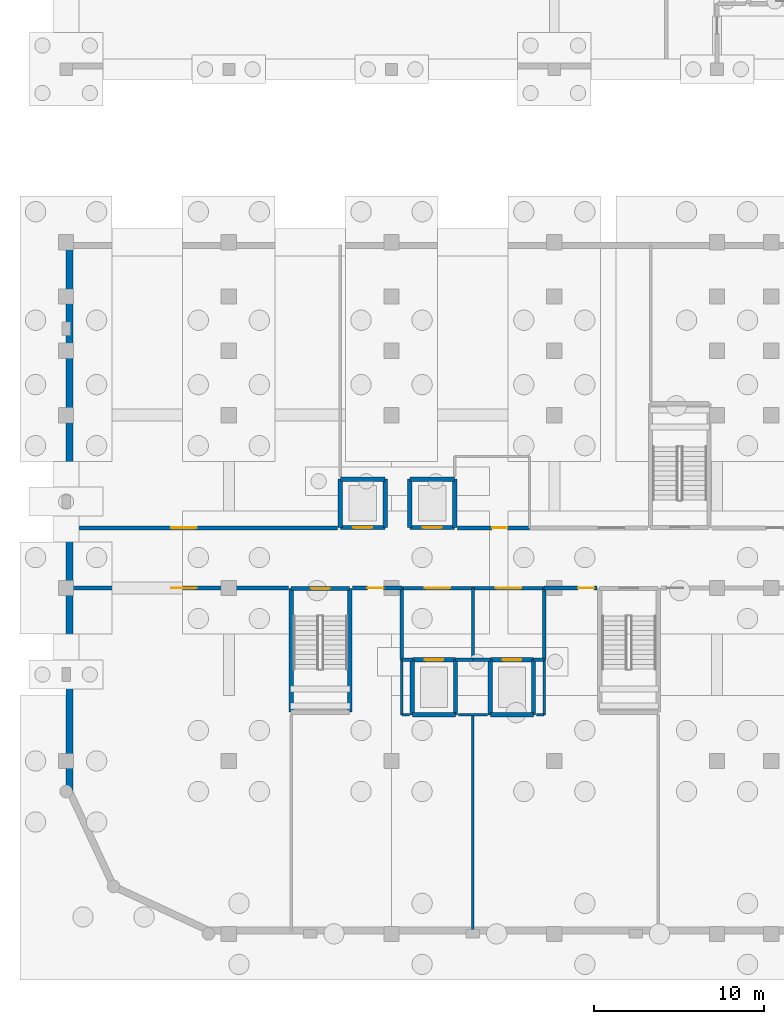
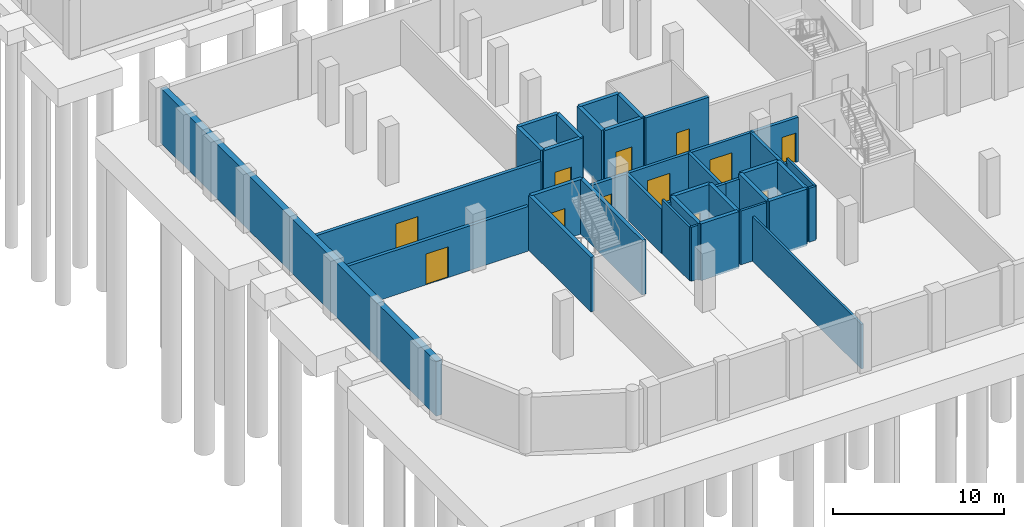
# One storey, part 9 of 18: 40 walls, 12 doors, 12 openings.
"""IFC4 building model written with IfcOpenShell, lengths in metres."""

from ifc_helpers import new_model, si_unit, direction, frame, frame_2d, origin, place, context, subcontext, project, spatial, rectangle, extrude, material, layer, layer_set, type_object, element, fill, save


model = new_model("IFC4")

# Units and contexts
model_context = context("Model", 3, precision=1e-05, world=origin(), true_north=direction((0.0, 1.0)))
body_context = subcontext(model_context, "Body", "Model", "MODEL_VIEW")
ifc_project = project(units=[si_unit("LENGTHUNIT", "METRE"), si_unit("AREAUNIT", "SQUARE_METRE"), si_unit("VOLUMEUNIT", "CUBIC_METRE"), si_unit("PLANEANGLEUNIT", "RADIAN"), si_unit("MASSUNIT", "GRAM", prefix="KILO")], contexts=[model_context])

# Site, building, storey
site_placement = place(None, origin())
site = spatial("IfcSite", under=ifc_project, at=site_placement, CompositionType="ELEMENT")
building_placement = place(site_placement, origin())
building = spatial("IfcBuilding", under=site, at=building_placement, Name="Vondelvale Polytechnic", CompositionType="ELEMENT")
storey_placement = place(building_placement, frame((0.0, 0.0, -4.199951171875)))
storey = spatial("IfcBuildingStorey", under=building, at=storey_placement, Name="B1", CompositionType="ELEMENT", Elevation=-4.199951171875)

# Walls
ifc_material_1 = material(Name="Concrete N40 (f'c = 40 MPa)", Category="concrete")
ifc_layer_1 = layer(ifc_material_1, 0.25)
ifc_layer_set_1 = layer_set([ifc_layer_1], Name="WL-CORE-250")
wall_type_1 = type_object("IfcWallType", Name="WL-CORE-250", PredefinedType="SOLIDWALL", material=ifc_layer_set_1)
for number, where, z_axis, x_axis, name in (
    (1, (13.27490234375, 20.375, 0.0), (0.0, 0.0, 1.0), (0.0, -1.0, 0.0), "B1 ST-03 reinforced concrete stair core wall"),
    (2, (16.72509765625, 13.074951171875, 0.0), (0.0, 0.0, 1.0), (0.0, 1.0, 0.0), "B1 ST-03 reinforced concrete stair core wall"),
):
    element("IfcWall", number, at=place(storey_placement, frame(where, z_axis=z_axis, x_axis=x_axis)), inside=storey, type_object=wall_type_1, Name=name, PredefinedType="SOLIDWALL", context=body_context, shape_type="SweptSolid", body=[
        extrude(rectangle(XDim=7.300048828125, YDim=0.25, at=frame_2d((3.64990234375, 0.0))), origin(), (0.0, 0.0, 1.0), 3.89990234375),
    ])

# Wall, opening, door
wall_1_placement = place(storey_placement, frame((16.72509765625, 20.375, 0.0), z_axis=(0.0, 0.0, 1.0), x_axis=(-1.0, 0.0, 0.0)))
wall_1 = element("IfcWall", 3, at=wall_1_placement, inside=storey, type_object=wall_type_1, Name="B1 ST-03 reinforced concrete stair core wall", PredefinedType="SOLIDWALL", context=body_context, shape_type="SweptSolid", body=[
    extrude(rectangle(XDim=3.4501953125, YDim=0.25, at=frame_2d((1.72509765625, 0.0))), origin(), (0.0, 0.0, 1.0), 3.89990234375),
])
opening_1_placement = place(wall_1_placement, frame((1.175048828125, 0.0, 0.0)))
opening_1 = element("IfcOpeningElement", 4, at=opening_1_placement, cuts=wall_1, Name="Opening SD-009", PredefinedType="OPENING", context=body_context, shape_type="SweptSolid", body=[
    extrude(rectangle(XDim=1.10009765625, YDim=2.199951171875, at=frame_2d((0.550048828125, 1.10009765625))), frame((0.0, 0.135009765625, 0.0), z_axis=(0.0, -1.0, 0.0), x_axis=(1.0, 0.0, 0.0)), (0.0, 0.0, 1.0), 0.27001953125),
])
ifc_material_2 = material(Name="Brushed architectural stainless and zinc-coated metal")
door_type_1 = type_object("IfcDoorType", Name="DR-STAIR-1100x2200", OperationType="SINGLE_SWING_LEFT", PredefinedType="DOOR", material=ifc_material_2)
door_1_placement = place(opening_1_placement, origin())
door_1 = element("IfcDoor", 5, at=door_1_placement, inside=storey, type_object=door_type_1, Name="B1 ST-03 fire-isolated stair door", OperationType="SINGLE_SWING_LEFT", OverallHeight=2.199951171875, OverallWidth=1.10009765625, PredefinedType="DOOR", context=body_context, shape_type="SweptSolid", body=[
    extrude(rectangle(XDim=1.10009765625, YDim=2.199951171875, at=frame_2d((0.550048828125, 1.10009765625))), frame((0.0, 0.02490234375, 0.0), z_axis=(0.0, -1.0, 0.0), x_axis=(1.0, 0.0, 0.0)), (0.0, 0.0, 1.0), 0.050048828125),
])
fill(opening_1, door_1)

ifc_material_3 = material(Name="Fire-rated double-layer plasterboard stud partition")
ifc_layer_2 = layer(ifc_material_3, 0.199951171875)
ifc_layer_set_2 = layer_set([ifc_layer_2], Name="WL-CORR-200")
wall_type_2 = type_object("IfcWallType", Name="WL-CORR-200", PredefinedType="PARTITIONING", material=ifc_layer_set_2)
wall_2_placement = place(storey_placement, frame((19.800048828125, 20.39990234375, 0.0), z_axis=(0.0, 0.0, 1.0), x_axis=(1.0, 0.0, 0.0)))
wall_2 = element("IfcWall", 6, at=wall_2_placement, inside=storey, type_object=wall_type_2, Name="B1 EL-01 fire-isolated lift lobby wall", PredefinedType="PARTITIONING", context=body_context, shape_type="SweptSolid", body=[
    extrude(rectangle(XDim=4.199951171875, YDim=0.199951171875, at=frame_2d((2.10009765625, 0.0))), origin(), (0.0, 0.0, 1.0), 3.179931640625),
])
opening_2_placement = place(wall_2_placement, frame((1.35009765625, 0.0, 0.0)))
opening_2 = element("IfcOpeningElement", 7, at=opening_2_placement, cuts=wall_2, Name="Opening LBD-056", PredefinedType="OPENING", context=body_context, shape_type="SweptSolid", body=[
    extrude(rectangle(XDim=1.5, YDim=2.199951171875, at=frame_2d((0.75, 1.10009765625))), frame((0.0, 0.10986328125, 0.0), z_axis=(0.0, -1.0, 0.0), x_axis=(1.0, 0.0, 0.0)), (0.0, 0.0, 1.0), 0.219970703125),
])
ifc_material_4 = material(Name="Engineered Tasmanian oak studio and bridge joinery")
door_type_2 = type_object("IfcDoorType", Name="DR-LOBBY-1500x2200", OperationType="DOUBLE_DOOR_SINGLE_SWING", PredefinedType="DOOR", material=ifc_material_4)
door_2_placement = place(opening_2_placement, origin())
door_2 = element("IfcDoor", 8, at=door_2_placement, inside=storey, type_object=door_type_2, Name="B1 EL-01 firefighting lobby smoke door", OperationType="SINGLE_SWING_LEFT", OverallHeight=2.199951171875, OverallWidth=1.5, PredefinedType="DOOR", context=body_context, shape_type="SweptSolid", body=[
    extrude(rectangle(XDim=1.5, YDim=2.199951171875, at=frame_2d((0.75, 1.10009765625))), frame((0.0, 0.02490234375, 0.0), z_axis=(0.0, -1.0, 0.0), x_axis=(1.0, 0.0, 0.0)), (0.0, 0.0, 1.0), 0.050048828125),
])
fill(opening_2, door_2)

# Walls
for number, where, z_axis, x_axis, name in (
    (9, (19.800048828125, 16.175048828125, 0.0), (0.0, 0.0, 1.0), (0.0, 1.0, 0.0), "B1 EL-01 fire-isolated lift lobby wall"),
    (10, (24.0, 16.175048828125, 0.0), (0.0, 0.0, 1.0), (0.0, 1.0, 0.0), "B1 EL-01 fire-isolated lift lobby wall"),
):
    element("IfcWall", number, at=place(storey_placement, frame(where, z_axis=z_axis, x_axis=x_axis)), inside=storey, type_object=wall_type_2, Name=name, PredefinedType="PARTITIONING", context=body_context, shape_type="SweptSolid", body=[
        extrude(rectangle(XDim=4.224853515625, YDim=0.199951171875, at=frame_2d((2.1123046875, 0.0))), origin(), (0.0, 0.0, 1.0), 3.179931640625),
    ])
wall_3_placement = place(storey_placement, frame((19.800048828125, 16.175048828125, 0.0), z_axis=(0.0, 0.0, 1.0), x_axis=(1.0, 0.0, 0.0)))
element("IfcWall", 11, at=wall_3_placement, inside=storey, type_object=wall_type_2, Name="B1 EL-01 fire-isolated lift lobby wall", PredefinedType="PARTITIONING", context=body_context, shape_type="SweptSolid", body=[
    extrude(rectangle(XDim=0.625, YDim=0.199951171875, at=frame_2d((0.3125, 0.0))), origin(), (0.0, 0.0, 1.0), 3.550048828125),
])
wall_4_placement = place(storey_placement, frame((22.97509765625, 16.175048828125, 0.0), z_axis=(0.0, 0.0, 1.0), x_axis=(1.0, 0.0, 0.0)))
element("IfcWall", 12, at=wall_4_placement, inside=storey, type_object=wall_type_2, Name="B1 EL-01 fire-isolated lift lobby wall", PredefinedType="PARTITIONING", context=body_context, shape_type="SweptSolid", body=[
    extrude(rectangle(XDim=1.02490234375, YDim=0.199951171875, at=frame_2d((0.512451171875, 0.0))), origin(), (0.0, 0.0, 1.0), 3.550048828125),
])

# Wall, opening, door
wall_5_placement = place(storey_placement, frame((24.0, 20.39990234375, 0.0), z_axis=(0.0, 0.0, 1.0), x_axis=(1.0, 0.0, 0.0)))
wall_5 = element("IfcWall", 13, at=wall_5_placement, inside=storey, type_object=wall_type_2, Name="B1 EL-02 fire-isolated lift lobby wall", PredefinedType="PARTITIONING", context=body_context, shape_type="SweptSolid", body=[
    extrude(rectangle(XDim=4.199951171875, YDim=0.199951171875, at=frame_2d((2.10009765625, 0.0))), origin(), (0.0, 0.0, 1.0), 3.179931640625),
])
opening_3_placement = place(wall_5_placement, frame((1.35009765625, 0.0, 0.0)))
opening_3 = element("IfcOpeningElement", 14, at=opening_3_placement, cuts=wall_5, Name="Opening LBD-065", PredefinedType="OPENING", context=body_context, shape_type="SweptSolid", body=[
    extrude(rectangle(XDim=1.5, YDim=2.199951171875, at=frame_2d((0.75, 1.10009765625))), frame((0.0, 0.10986328125, 0.0), z_axis=(0.0, -1.0, 0.0), x_axis=(1.0, 0.0, 0.0)), (0.0, 0.0, 1.0), 0.219970703125),
])
door_3_placement = place(opening_3_placement, origin())
door_3 = element("IfcDoor", 15, at=door_3_placement, inside=storey, type_object=door_type_2, Name="B1 EL-02 firefighting lobby smoke door", OperationType="SINGLE_SWING_LEFT", OverallHeight=2.199951171875, OverallWidth=1.5, PredefinedType="DOOR", context=body_context, shape_type="SweptSolid", body=[
    extrude(rectangle(XDim=1.5, YDim=2.199951171875, at=frame_2d((0.75, 1.10009765625))), frame((0.0, 0.02490234375, 0.0), z_axis=(0.0, -1.0, 0.0), x_axis=(1.0, 0.0, 0.0)), (0.0, 0.0, 1.0), 0.050048828125),
])
fill(opening_3, door_3)

# Walls
wall_6_placement = place(storey_placement, frame((28.199951171875, 16.175048828125, 0.0), z_axis=(0.0, 0.0, 1.0), x_axis=(0.0, 1.0, 0.0)))
element("IfcWall", 16, at=wall_6_placement, inside=storey, type_object=wall_type_2, Name="B1 EL-02 fire-isolated lift lobby wall", PredefinedType="PARTITIONING", context=body_context, shape_type="SweptSolid", body=[
    extrude(rectangle(XDim=4.224853515625, YDim=0.199951171875, at=frame_2d((2.1123046875, 0.0))), origin(), (0.0, 0.0, 1.0), 3.179931640625),
])
wall_7_placement = place(storey_placement, frame((24.0, 16.175048828125, 0.0), z_axis=(0.0, 0.0, 1.0), x_axis=(1.0, 0.0, 0.0)))
element("IfcWall", 17, at=wall_7_placement, inside=storey, type_object=wall_type_2, Name="B1 EL-02 fire-isolated lift lobby wall", PredefinedType="PARTITIONING", context=body_context, shape_type="SweptSolid", body=[
    extrude(rectangle(XDim=1.02490234375, YDim=0.199951171875, at=frame_2d((0.512451171875, 0.0))), origin(), (0.0, 0.0, 1.0), 3.550048828125),
])
wall_8_placement = place(storey_placement, frame((27.574951171875, 16.175048828125, 0.0), z_axis=(0.0, 0.0, 1.0), x_axis=(1.0, 0.0, 0.0)))
element("IfcWall", 18, at=wall_8_placement, inside=storey, type_object=wall_type_2, Name="B1 EL-02 fire-isolated lift lobby wall", PredefinedType="PARTITIONING", context=body_context, shape_type="SweptSolid", body=[
    extrude(rectangle(XDim=0.625, YDim=0.199951171875, at=frame_2d((0.3125, 0.0))), origin(), (0.0, 0.0, 1.0), 3.550048828125),
])

# Wall, opening, door
ifc_layer_3 = layer(ifc_material_3, 0.219970703125)
ifc_layer_set_3 = layer_set([ifc_layer_3], Name="WL-CORR-220")
wall_type_3 = type_object("IfcWallType", Name="WL-CORR-220", PredefinedType="PARTITIONING", material=ifc_layer_set_3)
wall_9_placement = place(storey_placement, frame((0.14990234375, 20.39990234375, 0.0), z_axis=(0.0, 0.0, 1.0), x_axis=(1.0, 0.0, 0.0)))
wall_9 = element("IfcWall", 19, at=wall_9_placement, inside=storey, type_object=wall_type_3, Name="B1 interior acoustic partition", PredefinedType="PARTITIONING", context=body_context, shape_type="SweptSolid", body=[
    extrude(rectangle(XDim=12.960205078125, YDim=0.219970703125, at=frame_2d((6.47998046875, 0.0))), origin(), (0.0, 0.0, 1.0), 3.179931640625),
])
opening_4_placement = place(wall_9_placement, frame((6.050048828125, 0.0, 0.0)))
opening_4 = element("IfcOpeningElement", 20, at=opening_4_placement, cuts=wall_9, Name="Opening ID-0129", PredefinedType="OPENING", context=body_context, shape_type="SweptSolid", body=[
    extrude(rectangle(XDim=1.5, YDim=2.199951171875, at=frame_2d((0.75, 1.10009765625))), frame((0.0, 0.119873046875, 0.0), z_axis=(0.0, -1.0, 0.0), x_axis=(1.0, 0.0, 0.0)), (0.0, 0.0, 1.0), 0.239990234375),
])
ifc_material_5 = material(Name="Fire-rated solid Tasmanian oak joinery")
door_type_3 = type_object("IfcDoorType", Name="DR-LAB-1500x2200", OperationType="DOUBLE_DOOR_SINGLE_SWING", PredefinedType="DOOR", material=ifc_material_5)
door_4_placement = place(opening_4_placement, origin())
door_4 = element("IfcDoor", 21, at=door_4_placement, inside=storey, type_object=door_type_3, Name="B1 interior room door ID-0129", OperationType="DOUBLE_DOOR_SINGLE_SWING", OverallHeight=2.199951171875, OverallWidth=1.5, PredefinedType="DOOR", context=body_context, shape_type="SweptSolid", body=[
    extrude(rectangle(XDim=1.5, YDim=2.199951171875, at=frame_2d((0.75, 1.10009765625))), frame((0.0, 0.02490234375, 0.0), z_axis=(0.0, -1.0, 0.0), x_axis=(1.0, 0.0, 0.0)), (0.0, 0.0, 1.0), 0.050048828125),
])
fill(opening_4, door_4)

wall_10_placement = place(storey_placement, frame((16.889892578125, 20.39990234375, 0.0), z_axis=(0.0, 0.0, 1.0), x_axis=(1.0, 0.0, 0.0)))
wall_10 = element("IfcWall", 22, at=wall_10_placement, inside=storey, type_object=wall_type_3, Name="B1 interior acoustic partition", PredefinedType="PARTITIONING", context=body_context, shape_type="SweptSolid", body=[
    extrude(rectangle(XDim=2.91015625, YDim=0.219970703125, at=frame_2d((1.455078125, 0.0))), origin(), (0.0, 0.0, 1.0), 3.179931640625),
])
opening_5_placement = place(wall_10_placement, frame((0.885009765625, 0.0, 0.0)))
opening_5 = element("IfcOpeningElement", 23, at=opening_5_placement, cuts=wall_10, Name="Opening ID-0130", PredefinedType="OPENING", context=body_context, shape_type="SweptSolid", body=[
    extrude(rectangle(XDim=0.949951171875, YDim=2.10009765625, at=frame_2d((0.47509765625, 1.050048828125))), frame((0.0, 0.119873046875, 0.0), z_axis=(0.0, -1.0, 0.0), x_axis=(1.0, 0.0, 0.0)), (0.0, 0.0, 1.0), 0.239990234375),
])
door_type_4 = type_object("IfcDoorType", Name="DR-INT-0950x2100", OperationType="SINGLE_SWING_LEFT", PredefinedType="DOOR", material=ifc_material_5)
door_5_placement = place(opening_5_placement, origin())
door_5 = element("IfcDoor", 24, at=door_5_placement, inside=storey, type_object=door_type_4, Name="B1 interior room door ID-0130", OperationType="SINGLE_SWING_RIGHT", OverallHeight=2.10009765625, OverallWidth=0.949951171875, PredefinedType="DOOR", context=body_context, shape_type="SweptSolid", body=[
    extrude(rectangle(XDim=0.949951171875, YDim=2.10009765625, at=frame_2d((0.47509765625, 1.050048828125))), frame((0.0, 0.02490234375, 0.0), z_axis=(0.0, -1.0, 0.0), x_axis=(1.0, 0.0, 0.0)), (0.0, 0.0, 1.0), 0.050048828125),
])
fill(opening_5, door_5)

wall_11_placement = place(storey_placement, frame((28.199951171875, 20.39990234375, 0.0), z_axis=(0.0, 0.0, 1.0), x_axis=(1.0, 0.0, 0.0)))
wall_11 = element("IfcWall", 25, at=wall_11_placement, inside=storey, type_object=wall_type_3, Name="B1 interior acoustic partition", PredefinedType="PARTITIONING", context=body_context, shape_type="SweptSolid", body=[
    extrude(rectangle(XDim=3.110107421875, YDim=0.219970703125, at=frame_2d((1.55517578125, 0.0))), origin(), (0.0, 0.0, 1.0), 3.179931640625),
])
opening_6_placement = place(wall_11_placement, frame((2.0, 0.0, 0.0)))
opening_6 = element("IfcOpeningElement", 26, at=opening_6_placement, cuts=wall_11, Name="Opening ID-0131", PredefinedType="OPENING", context=body_context, shape_type="SweptSolid", body=[
    extrude(rectangle(XDim=0.949951171875, YDim=2.10009765625, at=frame_2d((0.47509765625, 1.050048828125))), frame((0.0, 0.119873046875, 0.0), z_axis=(0.0, -1.0, 0.0), x_axis=(1.0, 0.0, 0.0)), (0.0, 0.0, 1.0), 0.239990234375),
])
door_6_placement = place(opening_6_placement, origin())
door_6 = element("IfcDoor", 27, at=door_6_placement, inside=storey, type_object=door_type_4, Name="B1 interior room door ID-0131", OperationType="SINGLE_SWING_LEFT", OverallHeight=2.10009765625, OverallWidth=0.949951171875, PredefinedType="DOOR", context=body_context, shape_type="SweptSolid", body=[
    extrude(rectangle(XDim=0.949951171875, YDim=2.10009765625, at=frame_2d((0.47509765625, 1.050048828125))), frame((0.0, 0.02490234375, 0.0), z_axis=(0.0, -1.0, 0.0), x_axis=(1.0, 0.0, 0.0)), (0.0, 0.0, 1.0), 0.050048828125),
])
fill(opening_6, door_6)

wall_12_placement = place(storey_placement, frame((23.090087890625, 23.949951171875, 0.0), z_axis=(0.0, 0.0, 1.0), x_axis=(1.0, 0.0, 0.0)))
wall_12 = element("IfcWall", 28, at=wall_12_placement, inside=storey, type_object=wall_type_3, Name="B1 interior acoustic partition", PredefinedType="PARTITIONING", context=body_context, shape_type="SweptSolid", body=[
    extrude(rectangle(XDim=4.23486328125, YDim=0.219970703125, at=frame_2d((2.117431640625, 0.0))), origin(), (0.0, 0.0, 1.0), 3.849853515625),
])
opening_7_placement = place(wall_12_placement, frame((2.034912109375, 0.0, 0.0)))
opening_7 = element("IfcOpeningElement", 29, at=opening_7_placement, cuts=wall_12, Name="Opening ID-0133", PredefinedType="OPENING", context=body_context, shape_type="SweptSolid", body=[
    extrude(rectangle(XDim=0.89990234375, YDim=2.050048828125, at=frame_2d((0.449951171875, 1.02490234375))), frame((0.0, 0.119873046875, 0.0), z_axis=(0.0, -1.0, 0.0), x_axis=(1.0, 0.0, 0.0)), (0.0, 0.0, 1.0), 0.239990234375),
])
door_type_5 = type_object("IfcDoorType", Name="DR-WC-0900x2050", OperationType="SINGLE_SWING_RIGHT", PredefinedType="DOOR", material=ifc_material_5)
door_7_placement = place(opening_7_placement, origin())
door_7 = element("IfcDoor", 30, at=door_7_placement, inside=storey, type_object=door_type_5, Name="B1 interior room door ID-0133", OperationType="SINGLE_SWING_LEFT", OverallHeight=2.050048828125, OverallWidth=0.89990234375, PredefinedType="DOOR", context=body_context, shape_type="SweptSolid", body=[
    extrude(rectangle(XDim=0.89990234375, YDim=2.050048828125, at=frame_2d((0.449951171875, 1.02490234375))), frame((0.0, 0.02490234375, 0.0), z_axis=(0.0, -1.0, 0.0), x_axis=(1.0, 0.0, 0.0)), (0.0, 0.0, 1.0), 0.050048828125),
])
fill(opening_7, door_7)

wall_13_placement = place(storey_placement, frame((0.14990234375, 23.949951171875, 0.0), z_axis=(0.0, 0.0, 1.0), x_axis=(1.0, 0.0, 0.0)))
wall_13 = element("IfcWall", 31, at=wall_13_placement, inside=storey, type_object=wall_type_3, Name="B1 interior acoustic partition", PredefinedType="PARTITIONING", context=body_context, shape_type="SweptSolid", body=[
    extrude(rectangle(XDim=15.860107421875, YDim=0.219970703125, at=frame_2d((7.93017578125, 0.0))), origin(), (0.0, 0.0, 1.0), 3.22998046875),
])
opening_8_placement = place(wall_13_placement, frame((6.050048828125, 0.0, 0.0)))
opening_8 = element("IfcOpeningElement", 32, at=opening_8_placement, cuts=wall_13, Name="Opening ID-0134", PredefinedType="OPENING", context=body_context, shape_type="SweptSolid", body=[
    extrude(rectangle(XDim=1.5, YDim=2.199951171875, at=frame_2d((0.75, 1.10009765625))), frame((0.0, 0.119873046875, 0.0), z_axis=(0.0, -1.0, 0.0), x_axis=(1.0, 0.0, 0.0)), (0.0, 0.0, 1.0), 0.239990234375),
])
door_8_placement = place(opening_8_placement, origin())
door_8 = element("IfcDoor", 33, at=door_8_placement, inside=storey, type_object=door_type_3, Name="B1 interior room door ID-0134", OperationType="DOUBLE_DOOR_SINGLE_SWING", OverallHeight=2.199951171875, OverallWidth=1.5, PredefinedType="DOOR", context=body_context, shape_type="SweptSolid", body=[
    extrude(rectangle(XDim=1.5, YDim=2.199951171875, at=frame_2d((0.75, 1.10009765625))), frame((0.0, 0.02490234375, 0.0), z_axis=(0.0, -1.0, 0.0), x_axis=(1.0, 0.0, 0.0)), (0.0, 0.0, 1.0), 0.050048828125),
])
fill(opening_8, door_8)

# Walls
ifc_layer_4 = layer(ifc_material_3, 0.14990234375)
ifc_layer_set_4 = layer_set([ifc_layer_4], Name="WL-INT-150")
wall_type_4 = type_object("IfcWallType", Name="WL-INT-150", PredefinedType="PARTITIONING", material=ifc_layer_set_4)
wall_14_placement = place(storey_placement, frame((19.800048828125, 12.925048828125, 0.0), z_axis=(0.0, 0.0, 1.0), x_axis=(1.0, 0.0, 0.0)))
element("IfcWall", 34, at=wall_14_placement, inside=storey, type_object=wall_type_4, Name="B1 interior acoustic partition", PredefinedType="PARTITIONING", context=body_context, shape_type="SweptSolid", body=[
    extrude(rectangle(XDim=0.4599609375, YDim=0.14990234375, at=frame_2d((0.22998046875, 0.0))), origin(), (0.0, 0.0, 1.0), 3.849853515625),
])
wall_15_placement = place(storey_placement, frame((23.139892578125, 12.925048828125, 0.0), z_axis=(0.0, 0.0, 1.0), x_axis=(1.0, 0.0, 0.0)))
element("IfcWall", 35, at=wall_15_placement, inside=storey, type_object=wall_type_4, Name="B1 interior acoustic partition", PredefinedType="PARTITIONING", context=body_context, shape_type="SweptSolid", body=[
    extrude(rectangle(XDim=1.72021484375, YDim=0.14990234375, at=frame_2d((0.860107421875, 0.0))), origin(), (0.0, 0.0, 1.0), 3.849853515625),
])
wall_16_placement = place(storey_placement, frame((27.739990234375, 12.925048828125, 0.0), z_axis=(0.0, 0.0, 1.0), x_axis=(1.0, 0.0, 0.0)))
element("IfcWall", 36, at=wall_16_placement, inside=storey, type_object=wall_type_4, Name="B1 interior acoustic partition", PredefinedType="PARTITIONING", context=body_context, shape_type="SweptSolid", body=[
    extrude(rectangle(XDim=0.4599609375, YDim=0.14990234375, at=frame_2d((0.22998046875, 0.0))), origin(), (0.0, 0.0, 1.0), 3.849853515625),
])
wall_17_placement = place(storey_placement, frame((19.800048828125, 12.925048828125, 0.0), z_axis=(0.0, 0.0, 1.0), x_axis=(0.0, 1.0, 0.0)))
element("IfcWall", 37, at=wall_17_placement, inside=storey, type_object=wall_type_4, Name="B1 interior acoustic partition", PredefinedType="PARTITIONING", context=body_context, shape_type="SweptSolid", body=[
    extrude(rectangle(XDim=3.25, YDim=0.14990234375, at=frame_2d((1.625, 0.0))), origin(), (0.0, 0.0, 1.0), 3.849853515625),
])
wall_18_placement = place(storey_placement, frame((24.0, 0.14990234375, 0.0), z_axis=(0.0, 0.0, 1.0), x_axis=(0.0, 1.0, 0.0)))
element("IfcWall", 38, at=wall_18_placement, inside=storey, type_object=wall_type_4, Name="B1 interior acoustic partition", PredefinedType="PARTITIONING", context=body_context, shape_type="SweptSolid", body=[
    extrude(rectangle(XDim=12.775146484375, YDim=0.14990234375, at=frame_2d((6.3876953125, 0.0))), origin(), (0.0, 0.0, 1.0), 3.179931640625),
])
wall_19_placement = place(storey_placement, frame((28.199951171875, 12.925048828125, 0.0), z_axis=(0.0, 0.0, 1.0), x_axis=(0.0, 1.0, 0.0)))
element("IfcWall", 39, at=wall_19_placement, inside=storey, type_object=wall_type_4, Name="B1 interior acoustic partition", PredefinedType="PARTITIONING", context=body_context, shape_type="SweptSolid", body=[
    extrude(rectangle(XDim=3.25, YDim=0.14990234375, at=frame_2d((1.625, 0.0))), origin(), (0.0, 0.0, 1.0), 3.849853515625),
])
ifc_layer_5 = layer(ifc_material_1, 0.39990234375)
ifc_layer_set_5 = layer_set([ifc_layer_5], Name="WL-RET-400")
wall_type_5 = type_object("IfcWallType", Name="WL-RET-400", PredefinedType="USERDEFINED", material=ifc_layer_set_5)
wall_20_placement = place(storey_placement, frame((0.199951171875, 8.39990234375, 0.0), z_axis=(0.0, 0.0, 1.0), x_axis=(0.0, 1.0, 0.0)))
element("IfcWall", 40, at=wall_20_placement, inside=storey, type_object=wall_type_5, Name="Basement retaining wall V2-W", ObjectType="RETAININGWALL", PredefinedType="USERDEFINED", context=body_context, shape_type="SweptSolid", body=[
    extrude(rectangle(XDim=32.2001953125, YDim=0.39990234375, at=frame_2d((16.10009765625, 0.0))), origin(), (0.0, 0.0, 1.0), 3.89990234375),
])
ifc_layer_6 = layer(ifc_material_1, 0.25)
ifc_layer_set_6 = layer_set([ifc_layer_6], Name="WL-SHAFT-250")
wall_type_6 = type_object("IfcWallType", Name="WL-SHAFT-250", PredefinedType="SOLIDWALL", material=ifc_layer_set_6)
wall_21_placement = place(storey_placement, frame((20.425048828125, 12.925048828125, -0.150146484375), z_axis=(0.0, 0.0, 1.0), x_axis=(1.0, 0.0, 0.0)))
element("IfcWall", 41, at=wall_21_placement, inside=storey, type_object=wall_type_6, Name="B1 EL-01 lift shaft wall S", PredefinedType="SOLIDWALL", context=body_context, shape_type="SweptSolid", body=[
    extrude(rectangle(XDim=2.550048828125, YDim=0.25, at=frame_2d((1.27490234375, 0.0))), origin(), (0.0, 0.0, 1.0), 4.050048828125),
])
wall_22_placement = place(storey_placement, frame((22.97509765625, 12.925048828125, -0.150146484375), z_axis=(0.0, 0.0, 1.0), x_axis=(0.0, 1.0, 0.0)))
element("IfcWall", 42, at=wall_22_placement, inside=storey, type_object=wall_type_6, Name="B1 EL-01 lift shaft wall E", PredefinedType="SOLIDWALL", context=body_context, shape_type="SweptSolid", body=[
    extrude(rectangle(XDim=3.25, YDim=0.25, at=frame_2d((1.625, 0.0))), origin(), (0.0, 0.0, 1.0), 4.050048828125),
])

# Wall, opening, door
wall_23_placement = place(storey_placement, frame((22.97509765625, 16.175048828125, -0.150146484375), z_axis=(0.0, 0.0, 1.0), x_axis=(-1.0, 0.0, 0.0)))
wall_23 = element("IfcWall", 43, at=wall_23_placement, inside=storey, type_object=wall_type_6, Name="B1 EL-01 lift shaft wall N", PredefinedType="SOLIDWALL", context=body_context, shape_type="SweptSolid", body=[
    extrude(rectangle(XDim=2.550048828125, YDim=0.25, at=frame_2d((1.27490234375, 0.0))), origin(), (0.0, 0.0, 1.0), 4.050048828125),
])
opening_9_placement = place(wall_23_placement, frame((0.72509765625, 0.0, 0.14990234375)))
opening_9 = element("IfcOpeningElement", 44, at=opening_9_placement, cuts=wall_23, Name="Opening LD-001", PredefinedType="OPENING", context=body_context, shape_type="SweptSolid", body=[
    extrude(rectangle(XDim=1.10009765625, YDim=2.10009765625, at=frame_2d((0.550048828125, 1.050048828125))), frame((0.0, 0.135009765625, 0.0), z_axis=(0.0, -1.0, 0.0), x_axis=(1.0, 0.0, 0.0)), (0.0, 0.0, 1.0), 0.27001953125),
])
door_type_6 = type_object("IfcDoorType", Name="DR-LIFT-1100x2100", OperationType="SLIDING_TO_LEFT", PredefinedType="DOOR", material=ifc_material_2)
door_9_placement = place(opening_9_placement, origin())
door_9 = element("IfcDoor", 45, at=door_9_placement, inside=storey, type_object=door_type_6, Name="B1 EL-01 sliding lift landing door", OperationType="SLIDING_TO_LEFT", OverallHeight=2.10009765625, OverallWidth=1.10009765625, PredefinedType="DOOR", context=body_context, shape_type="SweptSolid", body=[
    extrude(rectangle(XDim=1.10009765625, YDim=2.10009765625, at=frame_2d((0.550048828125, 1.050048828125))), frame((0.0, 0.02490234375, 0.0), z_axis=(0.0, -1.0, 0.0), x_axis=(1.0, 0.0, 0.0)), (0.0, 0.0, 1.0), 0.050048828125),
])
fill(opening_9, door_9)

# Walls
wall_24_placement = place(storey_placement, frame((20.425048828125, 16.175048828125, -0.150146484375), z_axis=(0.0, 0.0, 1.0), x_axis=(0.0, -1.0, 0.0)))
element("IfcWall", 46, at=wall_24_placement, inside=storey, type_object=wall_type_6, Name="B1 EL-01 lift shaft wall W", PredefinedType="SOLIDWALL", context=body_context, shape_type="SweptSolid", body=[
    extrude(rectangle(XDim=3.25, YDim=0.25, at=frame_2d((1.625, 0.0))), origin(), (0.0, 0.0, 1.0), 4.050048828125),
])
wall_25_placement = place(storey_placement, frame((25.02490234375, 12.925048828125, -0.150146484375), z_axis=(0.0, 0.0, 1.0), x_axis=(1.0, 0.0, 0.0)))
element("IfcWall", 47, at=wall_25_placement, inside=storey, type_object=wall_type_6, Name="B1 EL-02 lift shaft wall S", PredefinedType="SOLIDWALL", context=body_context, shape_type="SweptSolid", body=[
    extrude(rectangle(XDim=2.550048828125, YDim=0.25, at=frame_2d((1.27490234375, 0.0))), origin(), (0.0, 0.0, 1.0), 4.050048828125),
])
wall_26_placement = place(storey_placement, frame((27.574951171875, 12.925048828125, -0.150146484375), z_axis=(0.0, 0.0, 1.0), x_axis=(0.0, 1.0, 0.0)))
element("IfcWall", 48, at=wall_26_placement, inside=storey, type_object=wall_type_6, Name="B1 EL-02 lift shaft wall E", PredefinedType="SOLIDWALL", context=body_context, shape_type="SweptSolid", body=[
    extrude(rectangle(XDim=3.25, YDim=0.25, at=frame_2d((1.625, 0.0))), origin(), (0.0, 0.0, 1.0), 4.050048828125),
])

# Wall, opening, door
wall_27_placement = place(storey_placement, frame((27.574951171875, 16.175048828125, -0.150146484375), z_axis=(0.0, 0.0, 1.0), x_axis=(-1.0, 0.0, 0.0)))
wall_27 = element("IfcWall", 49, at=wall_27_placement, inside=storey, type_object=wall_type_6, Name="B1 EL-02 lift shaft wall N", PredefinedType="SOLIDWALL", context=body_context, shape_type="SweptSolid", body=[
    extrude(rectangle(XDim=2.550048828125, YDim=0.25, at=frame_2d((1.27490234375, 0.0))), origin(), (0.0, 0.0, 1.0), 4.050048828125),
])
opening_10_placement = place(wall_27_placement, frame((0.72509765625, 0.0, 0.14990234375)))
opening_10 = element("IfcOpeningElement", 50, at=opening_10_placement, cuts=wall_27, Name="Opening LD-010", PredefinedType="OPENING", context=body_context, shape_type="SweptSolid", body=[
    extrude(rectangle(XDim=1.10009765625, YDim=2.10009765625, at=frame_2d((0.550048828125, 1.050048828125))), frame((0.0, 0.135009765625, 0.0), z_axis=(0.0, -1.0, 0.0), x_axis=(1.0, 0.0, 0.0)), (0.0, 0.0, 1.0), 0.27001953125),
])
door_10_placement = place(opening_10_placement, origin())
door_10 = element("IfcDoor", 51, at=door_10_placement, inside=storey, type_object=door_type_6, Name="B1 EL-02 sliding lift landing door", OperationType="SLIDING_TO_LEFT", OverallHeight=2.10009765625, OverallWidth=1.10009765625, PredefinedType="DOOR", context=body_context, shape_type="SweptSolid", body=[
    extrude(rectangle(XDim=1.10009765625, YDim=2.10009765625, at=frame_2d((0.550048828125, 1.050048828125))), frame((0.0, 0.02490234375, 0.0), z_axis=(0.0, -1.0, 0.0), x_axis=(1.0, 0.0, 0.0)), (0.0, 0.0, 1.0), 0.050048828125),
])
fill(opening_10, door_10)

# Wall
wall_28_placement = place(storey_placement, frame((25.02490234375, 16.175048828125, -0.150146484375), z_axis=(0.0, 0.0, 1.0), x_axis=(0.0, -1.0, 0.0)))
element("IfcWall", 52, at=wall_28_placement, inside=storey, type_object=wall_type_6, Name="B1 EL-02 lift shaft wall W", PredefinedType="SOLIDWALL", context=body_context, shape_type="SweptSolid", body=[
    extrude(rectangle(XDim=3.25, YDim=0.25, at=frame_2d((1.625, 0.0))), origin(), (0.0, 0.0, 1.0), 4.050048828125),
])

# Wall, opening, door
wall_29_placement = place(storey_placement, frame((16.175048828125, 23.97509765625, -0.150146484375), z_axis=(0.0, 0.0, 1.0), x_axis=(1.0, 0.0, 0.0)))
wall_29 = element("IfcWall", 53, at=wall_29_placement, inside=storey, type_object=wall_type_6, Name="B1 PL-01 lift shaft wall S", PredefinedType="SOLIDWALL", context=body_context, shape_type="SweptSolid", body=[
    extrude(rectangle(XDim=2.64990234375, YDim=0.25, at=frame_2d((1.324951171875, 0.0))), origin(), (0.0, 0.0, 1.0), 4.050048828125),
])
opening_11_placement = place(wall_29_placement, frame((0.77490234375, 0.0, 0.14990234375)))
opening_11 = element("IfcOpeningElement", 54, at=opening_11_placement, cuts=wall_29, Name="Opening LD-019", PredefinedType="OPENING", context=body_context, shape_type="SweptSolid", body=[
    extrude(rectangle(XDim=1.10009765625, YDim=2.10009765625, at=frame_2d((0.550048828125, 1.050048828125))), frame((0.0, 0.135009765625, 0.0), z_axis=(0.0, -1.0, 0.0), x_axis=(1.0, 0.0, 0.0)), (0.0, 0.0, 1.0), 0.27001953125),
])
door_11_placement = place(opening_11_placement, origin())
door_11 = element("IfcDoor", 55, at=door_11_placement, inside=storey, type_object=door_type_6, Name="B1 PL-01 sliding lift landing door", OperationType="SLIDING_TO_LEFT", OverallHeight=2.10009765625, OverallWidth=1.10009765625, PredefinedType="DOOR", context=body_context, shape_type="SweptSolid", body=[
    extrude(rectangle(XDim=1.10009765625, YDim=2.10009765625, at=frame_2d((0.550048828125, 1.050048828125))), frame((0.0, 0.02490234375, 0.0), z_axis=(0.0, -1.0, 0.0), x_axis=(1.0, 0.0, 0.0)), (0.0, 0.0, 1.0), 0.050048828125),
])
fill(opening_11, door_11)

# Walls
wall_30_placement = place(storey_placement, frame((18.824951171875, 23.97509765625, -0.150146484375), z_axis=(0.0, 0.0, 1.0), x_axis=(0.0, 1.0, 0.0)))
element("IfcWall", 56, at=wall_30_placement, inside=storey, type_object=wall_type_6, Name="B1 PL-01 lift shaft wall E", PredefinedType="SOLIDWALL", context=body_context, shape_type="SweptSolid", body=[
    extrude(rectangle(XDim=2.849853515625, YDim=0.25, at=frame_2d((1.4248046875, 0.0))), origin(), (0.0, 0.0, 1.0), 4.050048828125),
])
wall_31_placement = place(storey_placement, frame((18.824951171875, 26.824951171875, -0.150146484375), z_axis=(0.0, 0.0, 1.0), x_axis=(-1.0, 0.0, 0.0)))
element("IfcWall", 57, at=wall_31_placement, inside=storey, type_object=wall_type_6, Name="B1 PL-01 lift shaft wall N", PredefinedType="SOLIDWALL", context=body_context, shape_type="SweptSolid", body=[
    extrude(rectangle(XDim=2.64990234375, YDim=0.25, at=frame_2d((1.324951171875, 0.0))), origin(), (0.0, 0.0, 1.0), 4.050048828125),
])
wall_32_placement = place(storey_placement, frame((16.175048828125, 26.824951171875, -0.150146484375), z_axis=(0.0, 0.0, 1.0), x_axis=(0.0, -1.0, 0.0)))
element("IfcWall", 58, at=wall_32_placement, inside=storey, type_object=wall_type_6, Name="B1 PL-01 lift shaft wall W", PredefinedType="SOLIDWALL", context=body_context, shape_type="SweptSolid", body=[
    extrude(rectangle(XDim=2.849853515625, YDim=0.25, at=frame_2d((1.4248046875, 0.0))), origin(), (0.0, 0.0, 1.0), 4.050048828125),
])

# Wall, opening, door
wall_33_placement = place(storey_placement, frame((20.27490234375, 23.97509765625, -0.150146484375), z_axis=(0.0, 0.0, 1.0), x_axis=(1.0, 0.0, 0.0)))
wall_33 = element("IfcWall", 59, at=wall_33_placement, inside=storey, type_object=wall_type_6, Name="B1 PL-02 lift shaft wall S", PredefinedType="SOLIDWALL", context=body_context, shape_type="SweptSolid", body=[
    extrude(rectangle(XDim=2.650146484375, YDim=0.25, at=frame_2d((1.3251953125, 0.0))), origin(), (0.0, 0.0, 1.0), 4.050048828125),
])
opening_12_placement = place(wall_33_placement, frame((0.77490234375, 0.0, 0.14990234375)))
opening_12 = element("IfcOpeningElement", 60, at=opening_12_placement, cuts=wall_33, Name="Opening LD-028", PredefinedType="OPENING", context=body_context, shape_type="SweptSolid", body=[
    extrude(rectangle(XDim=1.10009765625, YDim=2.10009765625, at=frame_2d((0.550048828125, 1.050048828125))), frame((0.0, 0.135009765625, 0.0), z_axis=(0.0, -1.0, 0.0), x_axis=(1.0, 0.0, 0.0)), (0.0, 0.0, 1.0), 0.27001953125),
])
door_12_placement = place(opening_12_placement, origin())
door_12 = element("IfcDoor", 61, at=door_12_placement, inside=storey, type_object=door_type_6, Name="B1 PL-02 sliding lift landing door", OperationType="SLIDING_TO_LEFT", OverallHeight=2.10009765625, OverallWidth=1.10009765625, PredefinedType="DOOR", context=body_context, shape_type="SweptSolid", body=[
    extrude(rectangle(XDim=1.10009765625, YDim=2.10009765625, at=frame_2d((0.550048828125, 1.050048828125))), frame((0.0, 0.02490234375, 0.0), z_axis=(0.0, -1.0, 0.0), x_axis=(1.0, 0.0, 0.0)), (0.0, 0.0, 1.0), 0.050048828125),
])
fill(opening_12, door_12)

# Walls
wall_34_placement = place(storey_placement, frame((22.925048828125, 23.97509765625, -0.150146484375), z_axis=(0.0, 0.0, 1.0), x_axis=(0.0, 1.0, 0.0)))
element("IfcWall", 62, at=wall_34_placement, inside=storey, type_object=wall_type_6, Name="B1 PL-02 lift shaft wall E", PredefinedType="SOLIDWALL", context=body_context, shape_type="SweptSolid", body=[
    extrude(rectangle(XDim=2.849853515625, YDim=0.25, at=frame_2d((1.4248046875, 0.0))), origin(), (0.0, 0.0, 1.0), 4.050048828125),
])
wall_35_placement = place(storey_placement, frame((22.925048828125, 26.824951171875, -0.150146484375), z_axis=(0.0, 0.0, 1.0), x_axis=(-1.0, 0.0, 0.0)))
element("IfcWall", 63, at=wall_35_placement, inside=storey, type_object=wall_type_6, Name="B1 PL-02 lift shaft wall N", PredefinedType="SOLIDWALL", context=body_context, shape_type="SweptSolid", body=[
    extrude(rectangle(XDim=2.650146484375, YDim=0.25, at=frame_2d((1.3251953125, 0.0))), origin(), (0.0, 0.0, 1.0), 4.050048828125),
])
wall_36_placement = place(storey_placement, frame((20.27490234375, 26.824951171875, -0.150146484375), z_axis=(0.0, 0.0, 1.0), x_axis=(0.0, -1.0, 0.0)))
element("IfcWall", 64, at=wall_36_placement, inside=storey, type_object=wall_type_6, Name="B1 PL-02 lift shaft wall W", PredefinedType="SOLIDWALL", context=body_context, shape_type="SweptSolid", body=[
    extrude(rectangle(XDim=2.849853515625, YDim=0.25, at=frame_2d((1.4248046875, 0.0))), origin(), (0.0, 0.0, 1.0), 4.050048828125),
])

save(model, "model.ifc")
